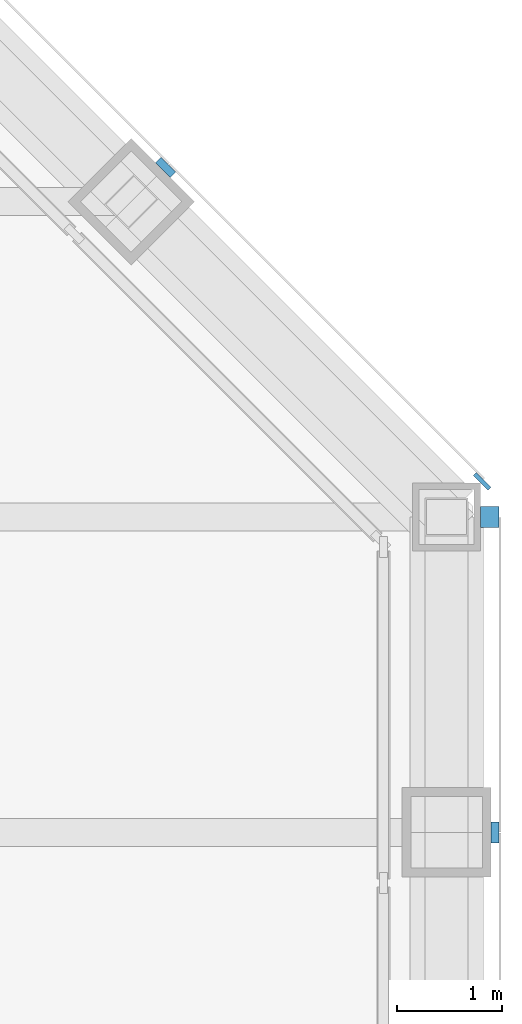
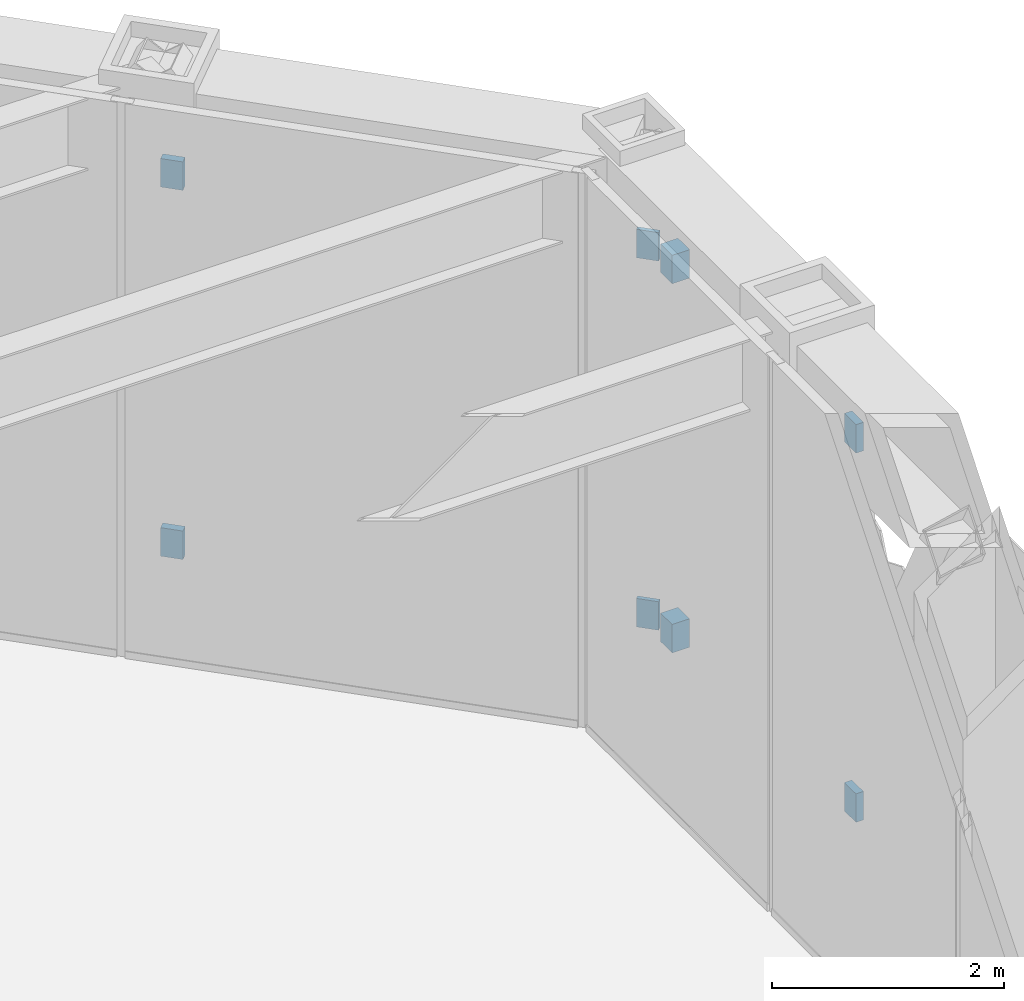
# One storey, part 17 of 29: 8 discrete accessories.
"""IFC4 building model written with IfcOpenShell, lengths in metres."""

from ifc_helpers import new_model, si_unit, direction, frame, origin, origin_2d, place, context, subcontext, project, spatial, rectangle, extrude, material, type_object, element, save


model = new_model("IFC4")

# Units and contexts
model_context = context("Model", 3, precision=1e-05, world=origin(), true_north=direction((0.0, 1.0)))
body_context = subcontext(model_context, "Body", "Model", "MODEL_VIEW")
ifc_project = project(units=[si_unit("LENGTHUNIT", "METRE"), si_unit("AREAUNIT", "SQUARE_METRE"), si_unit("VOLUMEUNIT", "CUBIC_METRE"), si_unit("PLANEANGLEUNIT", "RADIAN"), si_unit("MASSUNIT", "GRAM", prefix="KILO")], contexts=[model_context])

# Site, building, storey
site_placement = place(None, origin())
site = spatial("IfcSite", under=ifc_project, at=site_placement, CompositionType="ELEMENT")
building_placement = place(site_placement, origin())
building = spatial("IfcBuilding", under=site, at=building_placement, Name="Chuquiago Exchange Tower", CompositionType="ELEMENT")
storey_placement = place(building_placement, frame((0.0, 0.0, 251.699951171875)))
storey = spatial("IfcBuildingStorey", under=building, at=storey_placement, Name="L56", CompositionType="ELEMENT", Elevation=251.699951171875)

# Discrete accessories
ifc_material_1 = material(Name="Stainless steel plate bracket", Category="steel")
discrete_accessory_type_1 = type_object("IfcDiscreteAccessoryType", Name="GB3 cladding bracket 175", PredefinedType="BRACKET", material=ifc_material_1)
for number, where, z_axis, x_axis, name in (
    (1, (45.41259765625, 27.0, 0.35009765625), (0.0, 0.0, 1.0), (0.0, 1.0, 0.0), "Cladding bracket L56 E"),
    (2, (45.41259765625, 27.0, 4.240234375), (0.0, 0.0, 1.0), (0.0, 1.0, 0.0), "Cladding bracket L56 E"),
):
    element("IfcDiscreteAccessory", number, at=place(storey_placement, frame(where, z_axis=z_axis, x_axis=x_axis)), inside=storey, type_object=discrete_accessory_type_1, Name=name, PredefinedType="BRACKET", context=body_context, shape_type="SweptSolid", body=[
        extrude(rectangle(XDim=0.199951171875, YDim=0.175048828125, at=origin_2d()), origin(), (0.0, 0.0, 1.0), 0.300048828125),
    ])
ifc_material_2 = material(Name="Stainless steel plate bracket", Category="steel")
discrete_accessory_type_2 = type_object("IfcDiscreteAccessoryType", Name="GB4 cladding bracket 75", PredefinedType="BRACKET", material=ifc_material_2)
for number, where, z_axis, x_axis, name in (
    (3, (45.46240234375, 24.0, 0.35009765625), (0.0, 0.0, 1.0), (0.0, 1.0, 0.0), "Cladding bracket L56 E"),
    (4, (45.46240234375, 24.0, 4.240234375), (0.0, 0.0, 1.0), (0.0, 1.0, 0.0), "Cladding bracket L56 E"),
    (5, (42.3271484375, 30.326904296875, 0.35009765625), (0.0, 0.0, 1.0), (-0.707106781187, 0.707106781187, 0.0), "Cladding bracket L56 NE"),
    (6, (42.3271484375, 30.326904296875, 4.240234375), (0.0, 0.0, 1.0), (-0.707106781187, 0.707106781187, 0.0), "Cladding bracket L56 NE"),
):
    element("IfcDiscreteAccessory", number, at=place(storey_placement, frame(where, z_axis=z_axis, x_axis=x_axis)), inside=storey, type_object=discrete_accessory_type_2, Name=name, PredefinedType="BRACKET", context=body_context, shape_type="SweptSolid", body=[
        extrude(rectangle(XDim=0.199951171875, YDim=0.074951171875, at=origin_2d()), origin(), (0.0, 0.0, 1.0), 0.300048828125),
    ])
ifc_material_3 = material(Name="Stainless steel plate bracket", Category="steel")
discrete_accessory_type_3 = type_object("IfcDiscreteAccessoryType", Name="GB5 cladding bracket 40", PredefinedType="BRACKET", material=ifc_material_3)
for number, where, z_axis, x_axis, name in (
    (7, (45.33935546875, 27.33935546875, 0.35009765625), (0.0, 0.0, 1.0), (-0.707106781187, 0.707106781187, 0.0), "Cladding bracket L56 NE"),
    (8, (45.33935546875, 27.33935546875, 4.240234375), (0.0, 0.0, 1.0), (-0.707106781187, 0.707106781187, 0.0), "Cladding bracket L56 NE"),
):
    element("IfcDiscreteAccessory", number, at=place(storey_placement, frame(where, z_axis=z_axis, x_axis=x_axis)), inside=storey, type_object=discrete_accessory_type_3, Name=name, PredefinedType="BRACKET", context=body_context, shape_type="SweptSolid", body=[
        extrude(rectangle(XDim=0.199951171875, YDim=0.040283203125, at=origin_2d()), origin(), (0.0, 0.0, 1.0), 0.300048828125),
    ])

save(model, "model.ifc")
